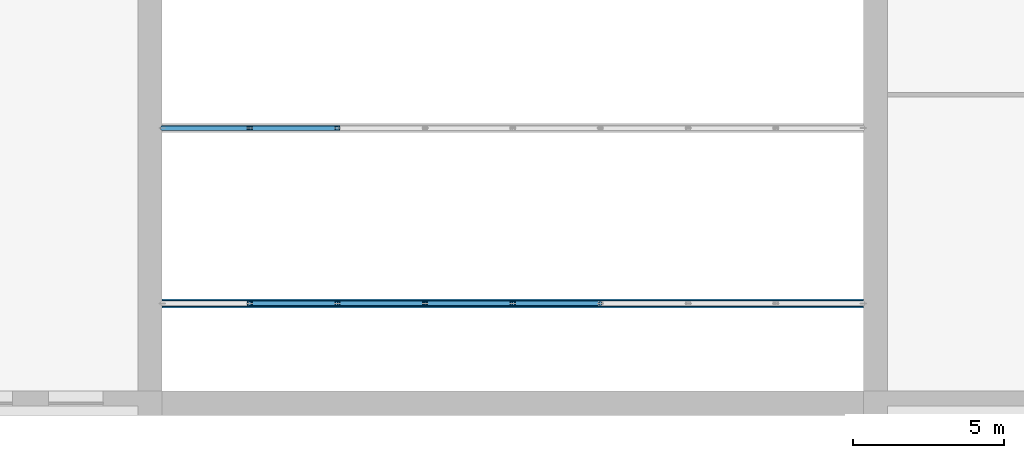
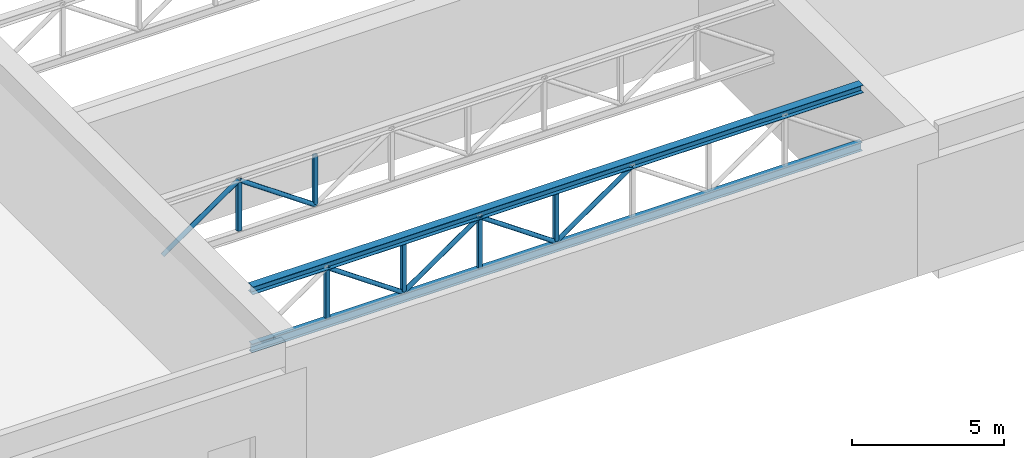
# One storey, part 3 of 35: 14 members.
"""IFC4 building model written with IfcOpenShell, lengths in metres."""

from ifc_helpers import new_model, si_unit, direction, frame, origin, origin_2d, place, context, subcontext, project, spatial, hollow_rectangle, hollow_circle, i_section, extrude, material, material_profile, profile_set, type_object, element, save


model = new_model("IFC4")

# Units and contexts
model_context = context("Model", 3, precision=1e-05, world=origin(), true_north=direction((0.0, 1.0)))
body_context = subcontext(model_context, "Body", "Model", "MODEL_VIEW")
ifc_project = project(units=[si_unit("LENGTHUNIT", "METRE"), si_unit("AREAUNIT", "SQUARE_METRE"), si_unit("VOLUMEUNIT", "CUBIC_METRE"), si_unit("PLANEANGLEUNIT", "RADIAN"), si_unit("MASSUNIT", "GRAM", prefix="KILO")], contexts=[model_context])

# Site, building, storey
site_placement = place(None, origin())
site = spatial("IfcSite", under=ifc_project, at=site_placement, CompositionType="ELEMENT")
building_placement = place(site_placement, origin())
building = spatial("IfcBuilding", under=site, at=building_placement, Name="Kiln Ring Residences", CompositionType="ELEMENT")
storey_placement = place(building_placement, frame((0.0, 0.0, 20.89990234375)))
storey = spatial("IfcBuildingStorey", under=building, at=storey_placement, Name="L04", CompositionType="ELEMENT", Elevation=20.89990234375)

# Members
ifc_material_1 = material(Name="Structural steel ASTM A992", Category="steel")
ifc_material_profile_1 = material_profile(ifc_material_1, i_section(OverallWidth=0.2041015625, OverallDepth=0.35009765625, WebThickness=0.008544921875, FlangeThickness=0.01513671875, at=origin_2d()), Name="W360x72")
ifc_profile_set_1 = profile_set([ifc_material_profile_1], Name="Structural steel ASTM A992")
member_type_1 = type_object("IfcMemberType", Name="Hall roof truss bottom chord W360x72", PredefinedType="CHORD", material=ifc_profile_set_1)
member_1_placement = place(storey_placement, frame((-11.60009765625, -156.300048828125, 3.050048828125), z_axis=(1.0, 0.0, 0.0), x_axis=(0.0, 1.0, 0.0)))
element("IfcMember", 1, at=member_1_placement, inside=storey, type_object=member_type_1, Name="Hall truss 1 bottom chord", PredefinedType="CHORD", context=body_context, shape_type="SweptSolid", body=[
    extrude(i_section(OverallWidth=0.2041015625, OverallDepth=0.35009765625, WebThickness=0.008544921875, FlangeThickness=0.01513671875, at=origin_2d()), origin(), (0.0, 0.0, 1.0), 23.2001953125),
])
ifc_material_2 = material(Name="Structural steel ASTM A500 Gr. C", Category="steel")
ifc_material_profile_2 = material_profile(ifc_material_2, hollow_circle(Radius=0.084228515625, WallThickness=0.007080078125, at=origin_2d()), Name="HSS168x7.1")
ifc_profile_set_2 = profile_set([ifc_material_profile_2], Name="Structural steel ASTM A500 Gr. C")
member_type_2 = type_object("IfcMemberType", Name="Hall roof truss diagonal HSS168x7.1", PredefinedType="BRACE", material=ifc_profile_set_2)
member_2_placement = place(storey_placement, frame((-8.699951171875, -156.300048828125, 5.2421875), z_axis=(0.820936191826, 0.0, -0.571019937436), x_axis=(0.0, 1.0, 0.0)))
element("IfcMember", 2, at=member_2_placement, inside=storey, type_object=member_type_2, Name="Hall truss 1 diagonal 2", PredefinedType="BRACE", context=body_context, shape_type="SweptSolid", body=[
    extrude(hollow_circle(Radius=0.084228515625, WallThickness=0.007080078125, at=origin_2d()), origin(), (0.0, 0.0, 1.0), 3.532470703125),
])
member_3_placement = place(storey_placement, frame((-5.800048828125, -156.300048828125, 3.22509765625), z_axis=(0.820958725483, 0.0, 0.570987540192), x_axis=(0.0, 1.0, 0.0)))
element("IfcMember", 3, at=member_3_placement, inside=storey, type_object=member_type_2, Name="Hall truss 1 diagonal 3", PredefinedType="BRACE", context=body_context, shape_type="SweptSolid", body=[
    extrude(hollow_circle(Radius=0.084228515625, WallThickness=0.007080078125, at=origin_2d()), origin(), (0.0, 0.0, 1.0), 3.53271484375),
])
for number, where, z_axis, x_axis, name in (
    (4, (-2.89990234375, -156.300048828125, 5.2421875), (0.820936191826, 0.0, -0.571019937436), (0.0, 1.0, 0.0), "Hall truss 1 diagonal 4"),
    (5, (0.0, -156.300048828125, 3.22509765625), (0.820936191826, 0.0, 0.571019937436), (0.0, 1.0, 0.0), "Hall truss 1 diagonal 5"),
):
    element("IfcMember", number, at=place(storey_placement, frame(where, z_axis=z_axis, x_axis=x_axis)), inside=storey, type_object=member_type_2, Name=name, PredefinedType="BRACE", context=body_context, shape_type="SweptSolid", body=[
        extrude(hollow_circle(Radius=0.084228515625, WallThickness=0.007080078125, at=origin_2d()), origin(), (0.0, 0.0, 1.0), 3.532470703125),
    ])
member_4_placement = place(storey_placement, frame((-11.60009765625, -150.5, 3.22509765625), z_axis=(0.820958725483, 0.0, 0.570987540192), x_axis=(0.0, 1.0, 0.0)))
element("IfcMember", 6, at=member_4_placement, inside=storey, type_object=member_type_2, Name="Hall truss 2 diagonal 1", PredefinedType="BRACE", context=body_context, shape_type="SweptSolid", body=[
    extrude(hollow_circle(Radius=0.084228515625, WallThickness=0.007080078125, at=origin_2d()), origin(), (0.0, 0.0, 1.0), 3.53271484375),
])
member_5_placement = place(storey_placement, frame((-8.699951171875, -150.5, 5.2421875), z_axis=(0.820936191826, 0.0, -0.571019937436), x_axis=(0.0, 1.0, 0.0)))
element("IfcMember", 7, at=member_5_placement, inside=storey, type_object=member_type_2, Name="Hall truss 2 diagonal 2", PredefinedType="BRACE", context=body_context, shape_type="SweptSolid", body=[
    extrude(hollow_circle(Radius=0.084228515625, WallThickness=0.007080078125, at=origin_2d()), origin(), (0.0, 0.0, 1.0), 3.532470703125),
])
ifc_material_3 = material(Name="Structural steel ASTM A500 Gr. C", Category="steel")
ifc_material_profile_3 = material_profile(ifc_material_3, hollow_rectangle(XDim=0.152099609375, YDim=0.152099609375, WallThickness=0.0078125, at=origin_2d()), Name="HSS152x152x7.9")
ifc_profile_set_3 = profile_set([ifc_material_profile_3], Name="Structural steel ASTM A500 Gr. C")
member_type_3 = type_object("IfcMemberType", Name="Hall roof truss post HSS152x152x7.9", PredefinedType="POST", material=ifc_profile_set_3)
for number, where, z_axis, x_axis, name in (
    (8, (-8.699951171875, -156.300048828125, 3.22509765625), (0.0, 0.0, 1.0), (1.0, 0.0, 0.0), "Hall truss 1 post 1"),
    (9, (-5.800048828125, -156.300048828125, 3.22509765625), (0.0, 0.0, 1.0), (1.0, 0.0, 0.0), "Hall truss 1 post 2"),
    (10, (-2.89990234375, -156.300048828125, 3.22509765625), (0.0, 0.0, 1.0), (1.0, 0.0, 0.0), "Hall truss 1 post 3"),
    (11, (0.0, -156.300048828125, 3.22509765625), (0.0, 0.0, 1.0), (1.0, 0.0, 0.0), "Hall truss 1 post 4"),
    (12, (-8.699951171875, -150.5, 3.22509765625), (0.0, 0.0, 1.0), (1.0, 0.0, 0.0), "Hall truss 2 post 1"),
    (13, (-5.800048828125, -150.5, 3.22509765625), (0.0, 0.0, 1.0), (1.0, 0.0, 0.0), "Hall truss 2 post 2"),
):
    element("IfcMember", number, at=place(storey_placement, frame(where, z_axis=z_axis, x_axis=x_axis)), inside=storey, type_object=member_type_3, Name=name, PredefinedType="POST", context=body_context, shape_type="SweptSolid", body=[
        extrude(hollow_rectangle(XDim=0.152099609375, YDim=0.152099609375, WallThickness=0.0078125, at=origin_2d()), origin(), (0.0, 0.0, 1.0), 2.01708984375),
    ])
ifc_material_4 = material(Name="Structural steel ASTM A992", Category="steel")
ifc_material_profile_4 = material_profile(ifc_material_4, i_section(OverallWidth=0.304931640625, OverallDepth=0.30810546875, WebThickness=0.010009765625, FlangeThickness=0.015380859375, at=origin_2d()), Name="W310x97")
ifc_profile_set_4 = profile_set([ifc_material_profile_4], Name="Structural steel ASTM A992")
member_type_4 = type_object("IfcMemberType", Name="Hall roof truss top chord W310x97", PredefinedType="CHORD", material=ifc_profile_set_4)
member_6_placement = place(storey_placement, frame((-11.60009765625, -156.300048828125, 5.39599609375), z_axis=(1.0, 0.0, 0.0), x_axis=(0.0, 1.0, 0.0)))
element("IfcMember", 14, at=member_6_placement, inside=storey, type_object=member_type_4, Name="Hall truss 1 top chord", PredefinedType="CHORD", context=body_context, shape_type="SweptSolid", body=[
    extrude(i_section(OverallWidth=0.304931640625, OverallDepth=0.30810546875, WebThickness=0.010009765625, FlangeThickness=0.015380859375, at=origin_2d()), origin(), (0.0, 0.0, 1.0), 23.2001953125),
])

save(model, "model.ifc")
